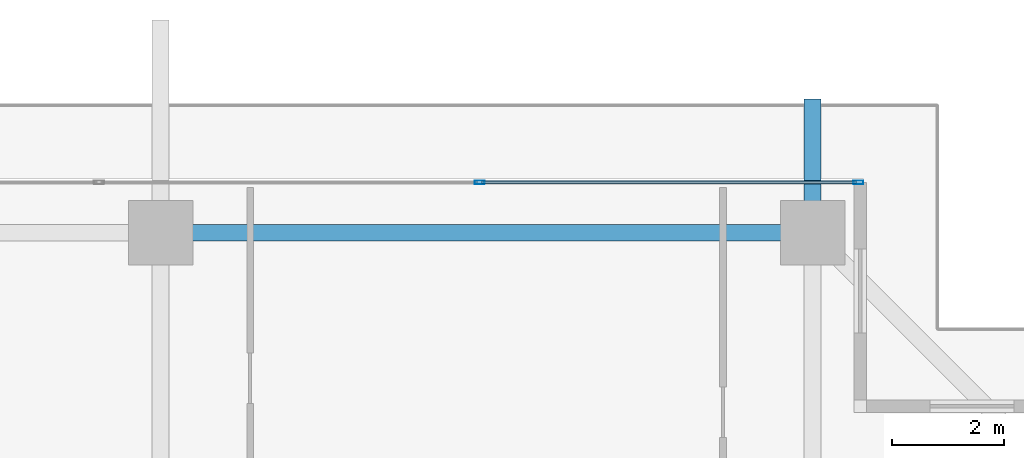
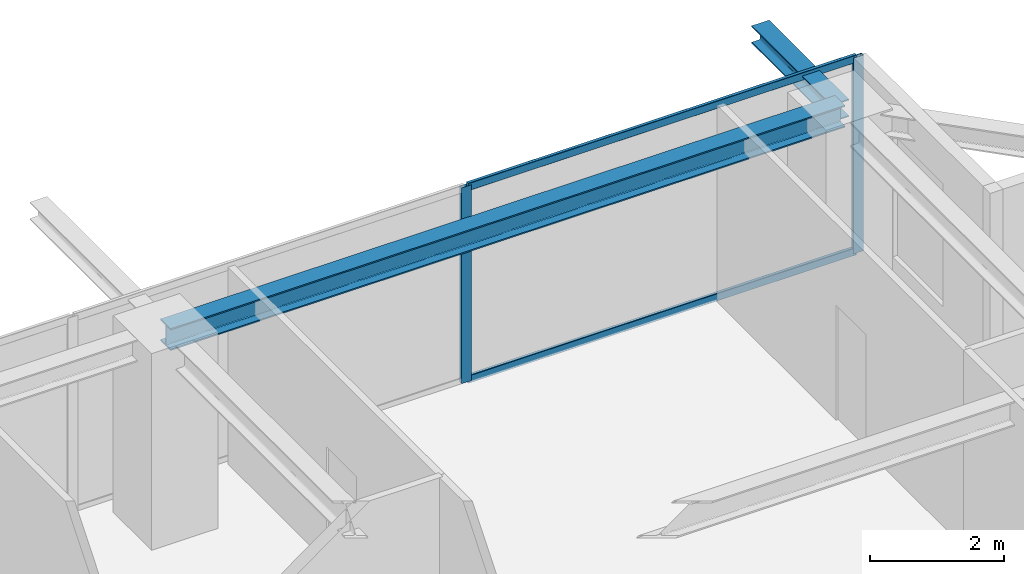
# One storey, part 24 of 37: 4 members, 2 beams, 1 element without a shape of its own.
"""IFC4 building model written with IfcOpenShell, lengths in metres."""

from ifc_helpers import new_model, si_unit, direction, frame, origin, origin_2d, place, context, subcontext, project, spatial, hollow_rectangle, i_section, extrude, source, transform, mapped, material, layer, layer_set, material_profile, profile_set, type_object, element, aggregate, save


model = new_model("IFC4")

# Units and contexts
model_context = context("Model", 3, precision=1e-05, world=origin(), true_north=direction((0.0, 1.0)))
body_context = subcontext(model_context, "Body", "Model", "MODEL_VIEW")
ifc_project = project(units=[si_unit("LENGTHUNIT", "METRE"), si_unit("AREAUNIT", "SQUARE_METRE"), si_unit("VOLUMEUNIT", "CUBIC_METRE"), si_unit("PLANEANGLEUNIT", "RADIAN"), si_unit("MASSUNIT", "GRAM", prefix="KILO")], contexts=[model_context])

# Site, building, storey
site_placement = place(None, origin())
site = spatial("IfcSite", under=ifc_project, at=site_placement, CompositionType="ELEMENT")
building_placement = place(site_placement, origin())
building = spatial("IfcBuilding", under=site, at=building_placement, Name="Serunith Strait Residences", CompositionType="ELEMENT")
storey_placement = place(building_placement, frame((0.0, 0.0, 260.5)))
storey = spatial("IfcBuildingStorey", under=building, at=storey_placement, Name="L65", CompositionType="ELEMENT", Elevation=260.5)

# Beams
ifc_material_1 = material(Name="Steel S355J2", Category="steel")
ifc_material_profile_1 = material_profile(ifc_material_1, i_section(OverallWidth=0.300048828125, OverallDepth=0.39990234375, WebThickness=0.013427734375, FlangeThickness=0.02392578125, FilletRadius=0.027099609375, at=origin_2d()), Name="HEB 400")
ifc_profile_set_1 = profile_set([ifc_material_profile_1], Name="Steel S355J2")
beam_type_1 = type_object("IfcBeamType", Name="BM-HEB400", PredefinedType="BEAM", material=ifc_profile_set_1)
shared_shape_1 = source(origin(), body_context, "Body", "SweptSolid", [
    extrude(i_section(OverallWidth=0.300048828125, OverallDepth=0.39990234375, WebThickness=0.013427734375, FlangeThickness=0.02392578125, FilletRadius=0.027099609375, at=origin_2d()), origin(), (0.0, 0.0, 1.0), 11.650146484375),
])
beam_1_placement = place(storey_placement, frame((48.550048828125, 48.300048828125, 3.386962890625), z_axis=(-1.0, 0.0, 0.0), x_axis=(0.0, -1.0, 0.0)))
element("IfcBeam", 1, at=beam_1_placement, inside=storey, type_object=beam_type_1, Name="L65 Perimeter Ring Beam 09", PredefinedType="BEAM", context=body_context, shape_type="MappedRepresentation", body=[
    mapped(shared_shape_1, transform((0.0, 0.0, 0.0), scale=1.0)),
])
ifc_material_profile_2 = material_profile(ifc_material_1, i_section(OverallWidth=0.300048828125, OverallDepth=0.320068359375, WebThickness=0.011474609375, FlangeThickness=0.0205078125, FilletRadius=0.027099609375, at=origin_2d()), Name="HEB 320")
ifc_profile_set_2 = profile_set([ifc_material_profile_2], Name="Steel S355J2")
beam_type_2 = type_object("IfcBeamType", Name="BM-HEB320", PredefinedType="BEAM", material=ifc_profile_set_2)
shared_shape_2 = source(origin(), body_context, "Body", "SweptSolid", [
    extrude(i_section(OverallWidth=0.300048828125, OverallDepth=0.320068359375, WebThickness=0.011474609375, FlangeThickness=0.0205078125, FilletRadius=0.027099609375, at=origin_2d()), origin(), (0.0, 0.0, 1.0), 2.38427734375),
])
beam_2_placement = place(storey_placement, frame((48.550048828125, 48.300048828125, 3.39697265625), z_axis=(0.0, 1.0, 0.0), x_axis=(-1.0, 0.0, 0.0)))
element("IfcBeam", 2, at=beam_2_placement, inside=storey, type_object=beam_type_2, Name="L66 Cantilevered Balcony Rib TC-N4", PredefinedType="BEAM", context=body_context, shape_type="MappedRepresentation", body=[
    mapped(shared_shape_2, transform((0.0, 0.0, 0.0), scale=1.0)),
])

# Curtain wall, members
ifc_material_2 = material(Name="Pale-Champagne Anodised Aluminium", Category="aluminium")
ifc_layer = layer(ifc_material_2, 0.199951171875, Name="Pale-Champagne Anodised Aluminium")
ifc_layer_set = layer_set([ifc_layer], Name="Pale-Champagne Anodised Aluminium")
curtain_wall_type = type_object("IfcCurtainWallType", Name="CW-SYS4", PredefinedType="NOTDEFINED", material=ifc_layer_set)
curtain_wall_placement = place(storey_placement, origin())
curtain_wall = element("IfcCurtainWall", 3, at=curtain_wall_placement, inside=storey, type_object=curtain_wall_type, Name="L65 N Unitised Fritted Curtain Wall", PredefinedType="NOTDEFINED")
ifc_material_profile_3 = material_profile(ifc_material_2, hollow_rectangle(XDim=0.06494140625, YDim=0.179931640625, WallThickness=0.00341796875, InnerFilletRadius=0.00537109375, OuterFilletRadius=0.0087890625, at=origin_2d()), Name="ALU 180x65x3.5")
ifc_profile_set_3 = profile_set([ifc_material_profile_3], Name="Pale-Champagne Anodised Aluminium")
member_type_1 = type_object("IfcMemberType", Name="CW-SYS4-MULL", PredefinedType="MULLION", material=ifc_profile_set_3)
shared_shape_3 = source(origin(), body_context, "Body", "SweptSolid", [
    extrude(hollow_rectangle(XDim=0.06494140625, YDim=0.179931640625, WallThickness=0.00341796875, InnerFilletRadius=0.00537109375, OuterFilletRadius=0.0087890625, at=origin_2d()), origin(), (0.0, 0.0, 1.0), 3.574951171875),
])
member_1_placement = place(storey_placement, frame((49.367431640625, 49.199951171875, 0.0), z_axis=(0.0, 0.0, 1.0), x_axis=(0.0, -1.0, 0.0)))
member_1 = element("IfcMember", 4, at=member_1_placement, type_object=member_type_1, Name="CW-4 mullion 1", PredefinedType="MULLION", context=body_context, shape_type="MappedRepresentation", body=[
    mapped(shared_shape_3, transform((0.0, 0.0, 0.0), scale=1.0)),
])
member_2_placement = place(storey_placement, frame((42.60009765625, 49.199951171875, 0.0), z_axis=(0.0, 0.0, 1.0), x_axis=(0.0, -1.0, 0.0)))
member_2 = element("IfcMember", 5, at=member_2_placement, type_object=member_type_1, Name="CW-4 mullion 2", PredefinedType="MULLION", context=body_context, shape_type="MappedRepresentation", body=[
    mapped(shared_shape_3, transform((0.0, 0.0, 0.0), scale=1.0)),
])
ifc_material_profile_4 = material_profile(ifc_material_2, hollow_rectangle(XDim=0.06005859375, YDim=0.139892578125, WallThickness=0.00341796875, InnerFilletRadius=0.00537109375, OuterFilletRadius=0.0087890625, at=origin_2d()), Name="ALU 140x60x3.5")
ifc_profile_set_4 = profile_set([ifc_material_profile_4], Name="Pale-Champagne Anodised Aluminium")
member_type_2 = type_object("IfcMemberType", Name="CW-SYS4-TRAN", PredefinedType="USERDEFINED", material=ifc_profile_set_4)
shared_shape_4 = source(origin(), body_context, "Body", "SweptSolid", [
    extrude(hollow_rectangle(XDim=0.06005859375, YDim=0.139892578125, WallThickness=0.00341796875, InnerFilletRadius=0.00537109375, OuterFilletRadius=0.0087890625, at=origin_2d()), origin(), (0.0, 0.0, 1.0), 6.702392578125),
])
member_3_placement = place(storey_placement, frame((49.3349609375, 49.199951171875, 0.030029296875), z_axis=(-1.0, 0.0, 0.0), x_axis=(0.0, -1.0, 0.0)))
member_3 = element("IfcMember", 6, at=member_3_placement, type_object=member_type_2, Name="CW-4 transom 1.1", ObjectType="TRANSOM", PredefinedType="USERDEFINED", context=body_context, shape_type="MappedRepresentation", body=[
    mapped(shared_shape_4, transform((0.0, 0.0, 0.0), scale=1.0)),
])
member_4_placement = place(storey_placement, frame((49.3349609375, 49.199951171875, 3.544921875), z_axis=(-1.0, 0.0, 0.0), x_axis=(0.0, -1.0, 0.0)))
member_4 = element("IfcMember", 7, at=member_4_placement, type_object=member_type_2, Name="CW-4 transom 1.2", ObjectType="TRANSOM", PredefinedType="USERDEFINED", context=body_context, shape_type="MappedRepresentation", body=[
    mapped(shared_shape_4, transform((0.0, 0.0, 0.0), scale=1.0)),
])
aggregate(curtain_wall, [member_1, member_2, member_3, member_4])

save(model, "model.ifc")
